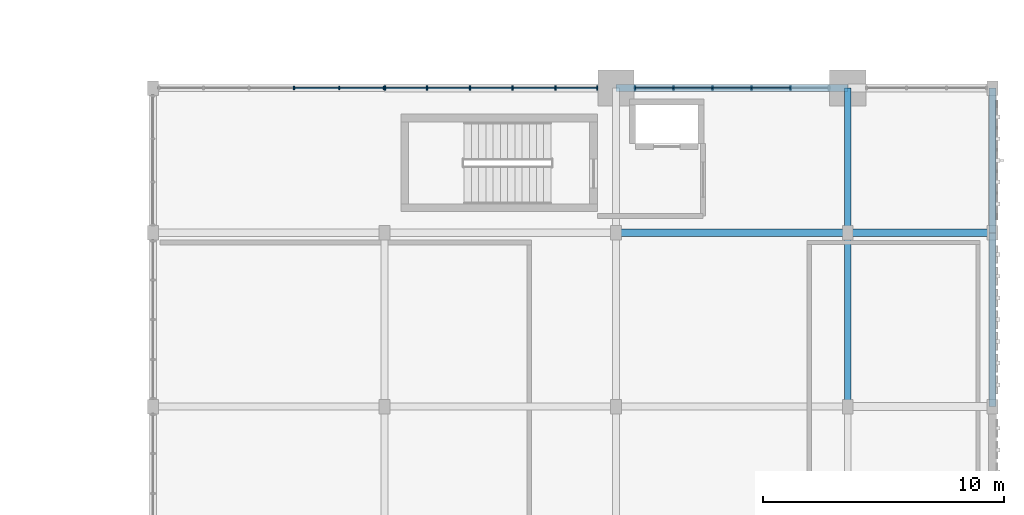
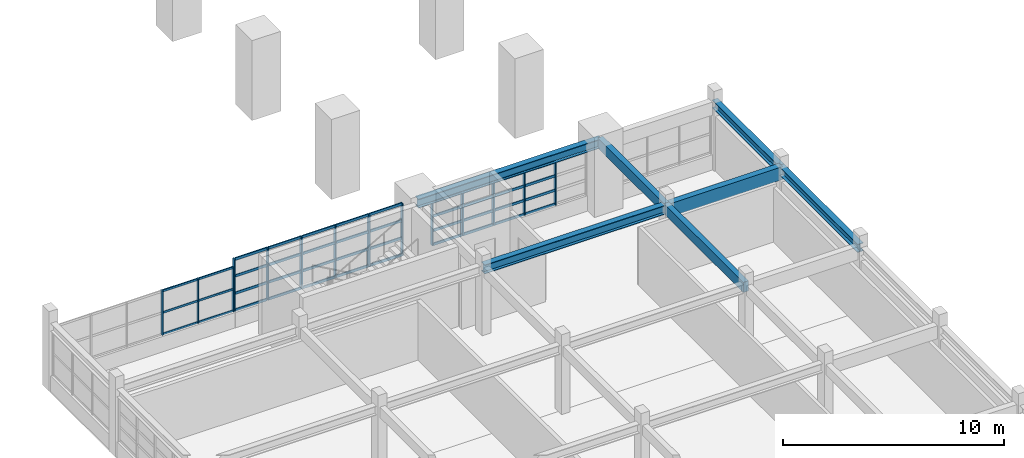
# One storey, part 27 of 69: 56 members, 7 beams, 3 elements without a shape of their own.
"""IFC4 building model written with IfcOpenShell, lengths in metres."""

from ifc_helpers import new_model, si_unit, direction, frame, origin, origin_2d, place, context, subcontext, project, spatial, rectangle, i_section, extrude, material, material_profile, profile_set, type_object, element, aggregate, save


model = new_model("IFC4")

# Units and contexts
model_context = context("Model", 3, precision=1e-05, world=origin(), true_north=direction((0.0, 1.0)))
body_context = subcontext(model_context, "Body", "Model", "MODEL_VIEW")
ifc_project = project(units=[si_unit("LENGTHUNIT", "METRE"), si_unit("AREAUNIT", "SQUARE_METRE"), si_unit("VOLUMEUNIT", "CUBIC_METRE"), si_unit("PLANEANGLEUNIT", "RADIAN"), si_unit("MASSUNIT", "GRAM", prefix="KILO")], contexts=[model_context])

# Site, building, storey
site_placement = place(None, origin())
site = spatial("IfcSite", under=ifc_project, at=site_placement, CompositionType="ELEMENT")
building_placement = place(site_placement, origin())
building = spatial("IfcBuilding", under=site, at=building_placement, Name="Nzembalo Square Collegiate School", CompositionType="ELEMENT")
storey_placement = place(building_placement, frame((0.0, 0.0, 5.10009765625)))
storey = spatial("IfcBuildingStorey", under=building, at=storey_placement, Name="L01", CompositionType="ELEMENT", Elevation=5.10009765625)

# Beams
ifc_material_1 = material(Name="Glulam GL32h", Category="wood")
ifc_material_profile_1 = material_profile(ifc_material_1, rectangle(XDim=0.320068359375, YDim=0.719970703125, at=origin_2d()), Name="GL32h 320x720")
ifc_profile_set_1 = profile_set([ifc_material_profile_1], Name="Glulam GL32h")
beam_type_1 = type_object("IfcBeamType", Name="B03", PredefinedType="BEAM", material=ifc_profile_set_1)
beam_1_placement = place(storey_placement, frame((159.60009765625, 44.39990234375, 3.389892578125), z_axis=(1.0, 0.0, 0.0), x_axis=(0.0, 1.0, 0.0)))
element("IfcBeam", 1, at=beam_1_placement, inside=storey, type_object=beam_type_1, Name="Beam B03 L01", PredefinedType="BEAM", context=body_context, shape_type="SweptSolid", body=[
    extrude(rectangle(XDim=0.320068359375, YDim=0.719970703125, at=origin_2d()), origin(), (0.0, 0.0, 1.0), 6.0),
])
ifc_material_2 = material(Name="Glulam GL28h", Category="wood")
ifc_material_profile_2 = material_profile(ifc_material_2, rectangle(XDim=0.280029296875, YDim=0.56005859375, at=origin_2d()), Name="GL28h 280x560")
ifc_profile_set_2 = profile_set([ifc_material_profile_2], Name="Glulam GL28h")
beam_type_2 = type_object("IfcBeamType", Name="B05", PredefinedType="BEAM", material=ifc_profile_set_2)
beam_2_placement = place(storey_placement, frame((159.60009765625, 37.199951171875, 3.469970703125), z_axis=(0.0, 1.0, 0.0), x_axis=(-1.0, 0.0, 0.0)))
element("IfcBeam", 2, at=beam_2_placement, inside=storey, type_object=beam_type_2, Name="Beam B05 L01", PredefinedType="BEAM", context=body_context, shape_type="SweptSolid", body=[
    extrude(rectangle(XDim=0.280029296875, YDim=0.56005859375, at=origin_2d()), origin(), (0.0, 0.0, 1.0), 7.199951171875),
])
beam_3_placement = place(storey_placement, frame((159.60009765625, 44.39990234375, 3.469970703125), z_axis=(0.0, 1.0, 0.0), x_axis=(-1.0, 0.0, 0.0)))
element("IfcBeam", 3, at=beam_3_placement, inside=storey, type_object=beam_type_2, Name="Beam B05 L01", PredefinedType="BEAM", context=body_context, shape_type="SweptSolid", body=[
    extrude(rectangle(XDim=0.280029296875, YDim=0.56005859375, at=origin_2d()), origin(), (0.0, 0.0, 1.0), 6.0),
])
ifc_material_3 = material(Name="Steel S355", Category="steel")
ifc_material_profile_3 = material_profile(ifc_material_3, i_section(OverallWidth=0.300048828125, OverallDepth=0.5, WebThickness=0.014404296875, FlangeThickness=0.028076171875, at=origin_2d()), Name="HEB 500")
ifc_profile_set_3 = profile_set([ifc_material_profile_3], Name="Steel S355")
beam_type_3 = type_object("IfcBeamType", Name="B07", PredefinedType="BEAM", material=ifc_profile_set_3)
for number, where, z_axis, x_axis, name in (
    (4, (150.0, 44.39990234375, 3.5), (1.0, 0.0, 0.0), (0.0, 1.0, 0.0), "Beam B07 L01"),
    (5, (150.0, 50.39990234375, 3.5), (1.0, 0.0, 0.0), (0.0, 1.0, 0.0), "Beam B07 L01"),
):
    element("IfcBeam", number, at=place(storey_placement, frame(where, z_axis=z_axis, x_axis=x_axis)), inside=storey, type_object=beam_type_3, Name=name, PredefinedType="BEAM", context=body_context, shape_type="SweptSolid", body=[
        extrude(i_section(OverallWidth=0.300048828125, OverallDepth=0.5, WebThickness=0.014404296875, FlangeThickness=0.028076171875, at=origin_2d()), origin(), (0.0, 0.0, 1.0), 9.60009765625),
    ])
ifc_material_4 = material(Name="Steel S355", Category="steel")
ifc_material_profile_4 = material_profile(ifc_material_4, i_section(OverallWidth=0.300048828125, OverallDepth=0.449951171875, WebThickness=0.013916015625, FlangeThickness=0.02587890625, at=origin_2d()), Name="HEB 450")
ifc_profile_set_4 = profile_set([ifc_material_profile_4], Name="Steel S355")
beam_type_4 = type_object("IfcBeamType", Name="B08", PredefinedType="BEAM", material=ifc_profile_set_4)
beam_4_placement = place(storey_placement, frame((165.60009765625, 37.199951171875, 3.52490234375), z_axis=(0.0, 1.0, 0.0), x_axis=(-1.0, 0.0, 0.0)))
element("IfcBeam", 6, at=beam_4_placement, inside=storey, type_object=beam_type_4, Name="Beam B08 L01", PredefinedType="BEAM", context=body_context, shape_type="SweptSolid", body=[
    extrude(i_section(OverallWidth=0.300048828125, OverallDepth=0.449951171875, WebThickness=0.013916015625, FlangeThickness=0.02587890625, at=origin_2d()), origin(), (0.0, 0.0, 1.0), 7.199951171875),
])
beam_5_placement = place(storey_placement, frame((165.60009765625, 44.39990234375, 3.52490234375), z_axis=(0.0, 1.0, 0.0), x_axis=(-1.0, 0.0, 0.0)))
element("IfcBeam", 7, at=beam_5_placement, inside=storey, type_object=beam_type_4, Name="Beam B08 L01", PredefinedType="BEAM", context=body_context, shape_type="SweptSolid", body=[
    extrude(i_section(OverallWidth=0.300048828125, OverallDepth=0.449951171875, WebThickness=0.013916015625, FlangeThickness=0.02587890625, at=origin_2d()), origin(), (0.0, 0.0, 1.0), 6.0),
])

# Curtain wall, members
ifc_material_5 = material(Name="Aluminium 6060-T66", Category="aluminium")
curtain_wall_type_1 = type_object("IfcCurtainWallType", Name="CW-09", PredefinedType="USERDEFINED", material=ifc_material_5)
curtain_wall_1_placement = place(storey_placement, origin())
curtain_wall_1 = element("IfcCurtainWall", 8, at=curtain_wall_1_placement, inside=storey, type_object=curtain_wall_type_1, Name="Curtain wall CW-09 cw:L01:060", ObjectType="UNITISED", PredefinedType="USERDEFINED")
ifc_material_6 = material(Name="Aluminium 6060-T66", Category="aluminium")
ifc_material_profile_5 = material_profile(ifc_material_6, rectangle(XDim=0.06005859375, YDim=0.179931640625, at=origin_2d()), Name="ALU M60x180")
ifc_profile_set_5 = profile_set([ifc_material_profile_5], Name="Aluminium 6060-T66")
member_type_1 = type_object("IfcMemberType", Name="ML01", PredefinedType="MULLION", material=ifc_profile_set_5)
member_1_placement = place(storey_placement, frame((140.429931640625, 50.39990234375, 0.849853515625), z_axis=(0.0, 0.0, 1.0), x_axis=(1.0, 0.0, 0.0)))
member_1 = element("IfcMember", 9, at=member_1_placement, type_object=member_type_1, Name="ML01 mullion 1", PredefinedType="MULLION", context=body_context, shape_type="SweptSolid", body=[
    extrude(rectangle(XDim=0.06005859375, YDim=0.179931640625, at=origin_2d()), origin(), (0.0, 0.0, 1.0), 2.8740234375),
])
member_2_placement = place(storey_placement, frame((142.169677734375, 50.39990234375, 0.849853515625), z_axis=(0.0, 0.0, 1.0), x_axis=(1.0, 0.0, 0.0)))
member_2 = element("IfcMember", 10, at=member_2_placement, type_object=member_type_1, Name="ML01 mullion 2", PredefinedType="MULLION", context=body_context, shape_type="SweptSolid", body=[
    extrude(rectangle(XDim=0.06005859375, YDim=0.179931640625, at=origin_2d()), origin(), (0.0, 0.0, 1.0), 2.8740234375),
])
member_3_placement = place(storey_placement, frame((143.939208984375, 50.39990234375, 0.849853515625), z_axis=(0.0, 0.0, 1.0), x_axis=(1.0, 0.0, 0.0)))
member_3 = element("IfcMember", 11, at=member_3_placement, type_object=member_type_1, Name="ML01 mullion 3", PredefinedType="MULLION", context=body_context, shape_type="SweptSolid", body=[
    extrude(rectangle(XDim=0.06005859375, YDim=0.179931640625, at=origin_2d()), origin(), (0.0, 0.0, 1.0), 2.8740234375),
])
member_4_placement = place(storey_placement, frame((145.708740234375, 50.39990234375, 0.849853515625), z_axis=(0.0, 0.0, 1.0), x_axis=(1.0, 0.0, 0.0)))
member_4 = element("IfcMember", 12, at=member_4_placement, type_object=member_type_1, Name="ML01 mullion 4", PredefinedType="MULLION", context=body_context, shape_type="SweptSolid", body=[
    extrude(rectangle(XDim=0.06005859375, YDim=0.179931640625, at=origin_2d()), origin(), (0.0, 0.0, 1.0), 2.8740234375),
])
member_5_placement = place(storey_placement, frame((147.478515625, 50.39990234375, 0.849853515625), z_axis=(0.0, 0.0, 1.0), x_axis=(1.0, 0.0, 0.0)))
member_5 = element("IfcMember", 13, at=member_5_placement, type_object=member_type_1, Name="ML01 mullion 5", PredefinedType="MULLION", context=body_context, shape_type="SweptSolid", body=[
    extrude(rectangle(XDim=0.06005859375, YDim=0.179931640625, at=origin_2d()), origin(), (0.0, 0.0, 1.0), 2.8740234375),
])
member_6_placement = place(storey_placement, frame((149.218017578125, 50.39990234375, 0.849853515625), z_axis=(0.0, 0.0, 1.0), x_axis=(1.0, 0.0, 0.0)))
member_6 = element("IfcMember", 14, at=member_6_placement, type_object=member_type_1, Name="ML01 mullion 6", PredefinedType="MULLION", context=body_context, shape_type="SweptSolid", body=[
    extrude(rectangle(XDim=0.06005859375, YDim=0.179931640625, at=origin_2d()), origin(), (0.0, 0.0, 1.0), 2.8740234375),
])

ifc_material_7 = material(Name="Aluminium 6060-T66", Category="aluminium")
curtain_wall_type_2 = type_object("IfcCurtainWallType", Name="CW-10", PredefinedType="USERDEFINED", material=ifc_material_7)
curtain_wall_2_placement = place(storey_placement, origin())
curtain_wall_2 = element("IfcCurtainWall", 15, at=curtain_wall_2_placement, inside=storey, type_object=curtain_wall_type_2, Name="Curtain wall CW-10 cw:L01:061", ObjectType="UNITISED", PredefinedType="USERDEFINED")
member_7_placement = place(storey_placement, frame((150.781982421875, 50.39990234375, 0.849853515625), z_axis=(0.0, 0.0, 1.0), x_axis=(1.0, 0.0, 0.0)))
member_7 = element("IfcMember", 16, at=member_7_placement, type_object=member_type_1, Name="ML01 mullion 1", PredefinedType="MULLION", context=body_context, shape_type="SweptSolid", body=[
    extrude(rectangle(XDim=0.06005859375, YDim=0.179931640625, at=origin_2d()), origin(), (0.0, 0.0, 1.0), 2.39404296875),
])
member_8_placement = place(storey_placement, frame((152.37109375, 50.39990234375, 0.849853515625), z_axis=(0.0, 0.0, 1.0), x_axis=(1.0, 0.0, 0.0)))
member_8 = element("IfcMember", 17, at=member_8_placement, type_object=member_type_1, Name="ML01 mullion 2", PredefinedType="MULLION", context=body_context, shape_type="SweptSolid", body=[
    extrude(rectangle(XDim=0.06005859375, YDim=0.179931640625, at=origin_2d()), origin(), (0.0, 0.0, 1.0), 2.39404296875),
])
member_9_placement = place(storey_placement, frame((153.990478515625, 50.39990234375, 0.849853515625), z_axis=(0.0, 0.0, 1.0), x_axis=(1.0, 0.0, 0.0)))
member_9 = element("IfcMember", 18, at=member_9_placement, type_object=member_type_1, Name="ML01 mullion 3", PredefinedType="MULLION", context=body_context, shape_type="SweptSolid", body=[
    extrude(rectangle(XDim=0.06005859375, YDim=0.179931640625, at=origin_2d()), origin(), (0.0, 0.0, 1.0), 2.39404296875),
])
member_10_placement = place(storey_placement, frame((155.609619140625, 50.39990234375, 0.849853515625), z_axis=(0.0, 0.0, 1.0), x_axis=(1.0, 0.0, 0.0)))
member_10 = element("IfcMember", 19, at=member_10_placement, type_object=member_type_1, Name="ML01 mullion 4", PredefinedType="MULLION", context=body_context, shape_type="SweptSolid", body=[
    extrude(rectangle(XDim=0.06005859375, YDim=0.179931640625, at=origin_2d()), origin(), (0.0, 0.0, 1.0), 2.39404296875),
])
member_11_placement = place(storey_placement, frame((157.228759765625, 50.39990234375, 0.849853515625), z_axis=(0.0, 0.0, 1.0), x_axis=(1.0, 0.0, 0.0)))
member_11 = element("IfcMember", 20, at=member_11_placement, type_object=member_type_1, Name="ML01 mullion 5", PredefinedType="MULLION", context=body_context, shape_type="SweptSolid", body=[
    extrude(rectangle(XDim=0.06005859375, YDim=0.179931640625, at=origin_2d()), origin(), (0.0, 0.0, 1.0), 2.39404296875),
])

ifc_material_8 = material(Name="Aluminium 6060-T66", Category="aluminium")
curtain_wall_type_3 = type_object("IfcCurtainWallType", Name="CW-12", PredefinedType="USERDEFINED", material=ifc_material_8)
curtain_wall_3_placement = place(storey_placement, origin())
curtain_wall_3 = element("IfcCurtainWall", 21, at=curtain_wall_3_placement, inside=storey, type_object=curtain_wall_type_3, Name="Curtain wall CW-12 cw:L01:059", ObjectType="LANCET", PredefinedType="USERDEFINED")
ifc_material_9 = material(Name="Aluminium 6060-T66", Category="aluminium")
ifc_material_profile_6 = material_profile(ifc_material_9, rectangle(XDim=0.06005859375, YDim=0.14990234375, at=origin_2d()), Name="ALU M60x150")
ifc_profile_set_6 = profile_set([ifc_material_profile_6], Name="Aluminium 6060-T66")
member_type_2 = type_object("IfcMemberType", Name="ML02", PredefinedType="MULLION", material=ifc_profile_set_6)
member_12_placement = place(storey_placement, frame((136.65087890625, 50.39990234375, 0.849853515625), z_axis=(0.0, 0.0, 1.0), x_axis=(1.0, 0.0, 0.0)))
member_12 = element("IfcMember", 22, at=member_12_placement, type_object=member_type_2, Name="ML02 mullion 4", PredefinedType="MULLION", context=body_context, shape_type="SweptSolid", body=[
    extrude(rectangle(XDim=0.06005859375, YDim=0.14990234375, at=origin_2d()), origin(), (0.0, 0.0, 1.0), 2.444091796875),
])
member_13_placement = place(storey_placement, frame((138.525390625, 50.39990234375, 0.849853515625), z_axis=(0.0, 0.0, 1.0), x_axis=(1.0, 0.0, 0.0)))
member_13 = element("IfcMember", 23, at=member_13_placement, type_object=member_type_2, Name="ML02 mullion 5", PredefinedType="MULLION", context=body_context, shape_type="SweptSolid", body=[
    extrude(rectangle(XDim=0.06005859375, YDim=0.14990234375, at=origin_2d()), origin(), (0.0, 0.0, 1.0), 2.444091796875),
])
member_14_placement = place(storey_placement, frame((140.3701171875, 50.39990234375, 0.849853515625), z_axis=(0.0, 0.0, 1.0), x_axis=(1.0, 0.0, 0.0)))
member_14 = element("IfcMember", 24, at=member_14_placement, type_object=member_type_2, Name="ML02 mullion 6", PredefinedType="MULLION", context=body_context, shape_type="SweptSolid", body=[
    extrude(rectangle(XDim=0.06005859375, YDim=0.14990234375, at=origin_2d()), origin(), (0.0, 0.0, 1.0), 2.444091796875),
])

# Member
ifc_material_10 = material(Name="Aluminium 6060-T66", Category="aluminium")
ifc_material_profile_7 = material_profile(ifc_material_10, rectangle(XDim=0.06005859375, YDim=0.139892578125, at=origin_2d()), Name="ALU T60x140")
ifc_profile_set_7 = profile_set([ifc_material_profile_7], Name="Aluminium 6060-T66")
member_type_3 = type_object("IfcMemberType", Name="TR01", PredefinedType="USERDEFINED", material=ifc_profile_set_7)
member_15_placement = place(storey_placement, frame((140.4599609375, 50.39990234375, 0.8798828125), z_axis=(1.0, 0.0, 0.0), x_axis=(0.0, 1.0, 0.0)))
member_15 = element("IfcMember", 25, at=member_15_placement, type_object=member_type_3, Name="TR01 transom 1-1", ObjectType="TRANSOM", PredefinedType="USERDEFINED", context=body_context, shape_type="SweptSolid", body=[
    extrude(rectangle(XDim=0.06005859375, YDim=0.139892578125, at=origin_2d()), origin(), (0.0, 0.0, 1.0), 1.6796875),
])

member_16_placement = place(storey_placement, frame((142.19970703125, 50.39990234375, 0.8798828125), z_axis=(1.0, 0.0, 0.0), x_axis=(0.0, 1.0, 0.0)))
member_16 = element("IfcMember", 26, at=member_16_placement, type_object=member_type_3, Name="TR01 transom 1-2", ObjectType="TRANSOM", PredefinedType="USERDEFINED", context=body_context, shape_type="SweptSolid", body=[
    extrude(rectangle(XDim=0.06005859375, YDim=0.139892578125, at=origin_2d()), origin(), (0.0, 0.0, 1.0), 1.70947265625),
])

member_17_placement = place(storey_placement, frame((143.96923828125, 50.39990234375, 0.8798828125), z_axis=(1.0, 0.0, 0.0), x_axis=(0.0, 1.0, 0.0)))
member_17 = element("IfcMember", 27, at=member_17_placement, type_object=member_type_3, Name="TR01 transom 1-3", ObjectType="TRANSOM", PredefinedType="USERDEFINED", context=body_context, shape_type="SweptSolid", body=[
    extrude(rectangle(XDim=0.06005859375, YDim=0.139892578125, at=origin_2d()), origin(), (0.0, 0.0, 1.0), 1.70947265625),
])

member_18_placement = place(storey_placement, frame((145.73876953125, 50.39990234375, 0.8798828125), z_axis=(1.0, 0.0, 0.0), x_axis=(0.0, 1.0, 0.0)))
member_18 = element("IfcMember", 28, at=member_18_placement, type_object=member_type_3, Name="TR01 transom 1-4", ObjectType="TRANSOM", PredefinedType="USERDEFINED", context=body_context, shape_type="SweptSolid", body=[
    extrude(rectangle(XDim=0.06005859375, YDim=0.139892578125, at=origin_2d()), origin(), (0.0, 0.0, 1.0), 1.709716796875),
])

member_19_placement = place(storey_placement, frame((147.50830078125, 50.39990234375, 0.8798828125), z_axis=(1.0, 0.0, 0.0), x_axis=(0.0, 1.0, 0.0)))
member_19 = element("IfcMember", 29, at=member_19_placement, type_object=member_type_3, Name="TR01 transom 1-5", ObjectType="TRANSOM", PredefinedType="USERDEFINED", context=body_context, shape_type="SweptSolid", body=[
    extrude(rectangle(XDim=0.06005859375, YDim=0.139892578125, at=origin_2d()), origin(), (0.0, 0.0, 1.0), 1.6796875),
])

member_20_placement = place(storey_placement, frame((140.4599609375, 50.39990234375, 1.807861328125), z_axis=(1.0, 0.0, 0.0), x_axis=(0.0, 1.0, 0.0)))
member_20 = element("IfcMember", 30, at=member_20_placement, type_object=member_type_3, Name="TR01 transom 2-1", ObjectType="TRANSOM", PredefinedType="USERDEFINED", context=body_context, shape_type="SweptSolid", body=[
    extrude(rectangle(XDim=0.06005859375, YDim=0.139892578125, at=origin_2d()), origin(), (0.0, 0.0, 1.0), 1.6796875),
])

member_21_placement = place(storey_placement, frame((142.19970703125, 50.39990234375, 1.807861328125), z_axis=(1.0, 0.0, 0.0), x_axis=(0.0, 1.0, 0.0)))
member_21 = element("IfcMember", 31, at=member_21_placement, type_object=member_type_3, Name="TR01 transom 2-2", ObjectType="TRANSOM", PredefinedType="USERDEFINED", context=body_context, shape_type="SweptSolid", body=[
    extrude(rectangle(XDim=0.06005859375, YDim=0.139892578125, at=origin_2d()), origin(), (0.0, 0.0, 1.0), 1.70947265625),
])

member_22_placement = place(storey_placement, frame((143.96923828125, 50.39990234375, 1.807861328125), z_axis=(1.0, 0.0, 0.0), x_axis=(0.0, 1.0, 0.0)))
member_22 = element("IfcMember", 32, at=member_22_placement, type_object=member_type_3, Name="TR01 transom 2-3", ObjectType="TRANSOM", PredefinedType="USERDEFINED", context=body_context, shape_type="SweptSolid", body=[
    extrude(rectangle(XDim=0.06005859375, YDim=0.139892578125, at=origin_2d()), origin(), (0.0, 0.0, 1.0), 1.70947265625),
])

member_23_placement = place(storey_placement, frame((145.73876953125, 50.39990234375, 1.807861328125), z_axis=(1.0, 0.0, 0.0), x_axis=(0.0, 1.0, 0.0)))
member_23 = element("IfcMember", 33, at=member_23_placement, type_object=member_type_3, Name="TR01 transom 2-4", ObjectType="TRANSOM", PredefinedType="USERDEFINED", context=body_context, shape_type="SweptSolid", body=[
    extrude(rectangle(XDim=0.06005859375, YDim=0.139892578125, at=origin_2d()), origin(), (0.0, 0.0, 1.0), 1.709716796875),
])

member_24_placement = place(storey_placement, frame((147.50830078125, 50.39990234375, 1.807861328125), z_axis=(1.0, 0.0, 0.0), x_axis=(0.0, 1.0, 0.0)))
member_24 = element("IfcMember", 34, at=member_24_placement, type_object=member_type_3, Name="TR01 transom 2-5", ObjectType="TRANSOM", PredefinedType="USERDEFINED", context=body_context, shape_type="SweptSolid", body=[
    extrude(rectangle(XDim=0.06005859375, YDim=0.139892578125, at=origin_2d()), origin(), (0.0, 0.0, 1.0), 1.6796875),
])

member_25_placement = place(storey_placement, frame((140.4599609375, 50.39990234375, 2.765869140625), z_axis=(1.0, 0.0, 0.0), x_axis=(0.0, 1.0, 0.0)))
member_25 = element("IfcMember", 35, at=member_25_placement, type_object=member_type_3, Name="TR01 transom 3-1", ObjectType="TRANSOM", PredefinedType="USERDEFINED", context=body_context, shape_type="SweptSolid", body=[
    extrude(rectangle(XDim=0.06005859375, YDim=0.139892578125, at=origin_2d()), origin(), (0.0, 0.0, 1.0), 1.6796875),
])

member_26_placement = place(storey_placement, frame((142.19970703125, 50.39990234375, 2.765869140625), z_axis=(1.0, 0.0, 0.0), x_axis=(0.0, 1.0, 0.0)))
member_26 = element("IfcMember", 36, at=member_26_placement, type_object=member_type_3, Name="TR01 transom 3-2", ObjectType="TRANSOM", PredefinedType="USERDEFINED", context=body_context, shape_type="SweptSolid", body=[
    extrude(rectangle(XDim=0.06005859375, YDim=0.139892578125, at=origin_2d()), origin(), (0.0, 0.0, 1.0), 1.70947265625),
])

member_27_placement = place(storey_placement, frame((143.96923828125, 50.39990234375, 2.765869140625), z_axis=(1.0, 0.0, 0.0), x_axis=(0.0, 1.0, 0.0)))
member_27 = element("IfcMember", 37, at=member_27_placement, type_object=member_type_3, Name="TR01 transom 3-3", ObjectType="TRANSOM", PredefinedType="USERDEFINED", context=body_context, shape_type="SweptSolid", body=[
    extrude(rectangle(XDim=0.06005859375, YDim=0.139892578125, at=origin_2d()), origin(), (0.0, 0.0, 1.0), 1.70947265625),
])

member_28_placement = place(storey_placement, frame((145.73876953125, 50.39990234375, 2.765869140625), z_axis=(1.0, 0.0, 0.0), x_axis=(0.0, 1.0, 0.0)))
member_28 = element("IfcMember", 38, at=member_28_placement, type_object=member_type_3, Name="TR01 transom 3-4", ObjectType="TRANSOM", PredefinedType="USERDEFINED", context=body_context, shape_type="SweptSolid", body=[
    extrude(rectangle(XDim=0.06005859375, YDim=0.139892578125, at=origin_2d()), origin(), (0.0, 0.0, 1.0), 1.709716796875),
])

member_29_placement = place(storey_placement, frame((147.50830078125, 50.39990234375, 2.765869140625), z_axis=(1.0, 0.0, 0.0), x_axis=(0.0, 1.0, 0.0)))
member_29 = element("IfcMember", 39, at=member_29_placement, type_object=member_type_3, Name="TR01 transom 3-5", ObjectType="TRANSOM", PredefinedType="USERDEFINED", context=body_context, shape_type="SweptSolid", body=[
    extrude(rectangle(XDim=0.06005859375, YDim=0.139892578125, at=origin_2d()), origin(), (0.0, 0.0, 1.0), 1.6796875),
])

member_30_placement = place(storey_placement, frame((140.4599609375, 50.39990234375, 3.69384765625), z_axis=(1.0, 0.0, 0.0), x_axis=(0.0, 1.0, 0.0)))
member_30 = element("IfcMember", 40, at=member_30_placement, type_object=member_type_3, Name="TR01 transom 4-1", ObjectType="TRANSOM", PredefinedType="USERDEFINED", context=body_context, shape_type="SweptSolid", body=[
    extrude(rectangle(XDim=0.06005859375, YDim=0.139892578125, at=origin_2d()), origin(), (0.0, 0.0, 1.0), 1.6796875),
])

member_31_placement = place(storey_placement, frame((142.19970703125, 50.39990234375, 3.69384765625), z_axis=(1.0, 0.0, 0.0), x_axis=(0.0, 1.0, 0.0)))
member_31 = element("IfcMember", 41, at=member_31_placement, type_object=member_type_3, Name="TR01 transom 4-2", ObjectType="TRANSOM", PredefinedType="USERDEFINED", context=body_context, shape_type="SweptSolid", body=[
    extrude(rectangle(XDim=0.06005859375, YDim=0.139892578125, at=origin_2d()), origin(), (0.0, 0.0, 1.0), 1.70947265625),
])

member_32_placement = place(storey_placement, frame((143.96923828125, 50.39990234375, 3.69384765625), z_axis=(1.0, 0.0, 0.0), x_axis=(0.0, 1.0, 0.0)))
member_32 = element("IfcMember", 42, at=member_32_placement, type_object=member_type_3, Name="TR01 transom 4-3", ObjectType="TRANSOM", PredefinedType="USERDEFINED", context=body_context, shape_type="SweptSolid", body=[
    extrude(rectangle(XDim=0.06005859375, YDim=0.139892578125, at=origin_2d()), origin(), (0.0, 0.0, 1.0), 1.70947265625),
])

member_33_placement = place(storey_placement, frame((145.73876953125, 50.39990234375, 3.69384765625), z_axis=(1.0, 0.0, 0.0), x_axis=(0.0, 1.0, 0.0)))
member_33 = element("IfcMember", 43, at=member_33_placement, type_object=member_type_3, Name="TR01 transom 4-4", ObjectType="TRANSOM", PredefinedType="USERDEFINED", context=body_context, shape_type="SweptSolid", body=[
    extrude(rectangle(XDim=0.06005859375, YDim=0.139892578125, at=origin_2d()), origin(), (0.0, 0.0, 1.0), 1.709716796875),
])

member_34_placement = place(storey_placement, frame((147.50830078125, 50.39990234375, 3.69384765625), z_axis=(1.0, 0.0, 0.0), x_axis=(0.0, 1.0, 0.0)))
member_34 = element("IfcMember", 44, at=member_34_placement, type_object=member_type_3, Name="TR01 transom 4-5", ObjectType="TRANSOM", PredefinedType="USERDEFINED", context=body_context, shape_type="SweptSolid", body=[
    extrude(rectangle(XDim=0.06005859375, YDim=0.139892578125, at=origin_2d()), origin(), (0.0, 0.0, 1.0), 1.6796875),
])

aggregate(curtain_wall_1, [member_1, member_2, member_3, member_4, member_5, member_6, member_15, member_16, member_17, member_18, member_19, member_20, member_21, member_22, member_23, member_24, member_25, member_26, member_27, member_28, member_29, member_30, member_31, member_32, member_33, member_34])

member_35_placement = place(storey_placement, frame((150.81201171875, 50.39990234375, 0.8798828125), z_axis=(1.0, 0.0, 0.0), x_axis=(0.0, 1.0, 0.0)))
member_35 = element("IfcMember", 45, at=member_35_placement, type_object=member_type_3, Name="TR01 transom 1-1", ObjectType="TRANSOM", PredefinedType="USERDEFINED", context=body_context, shape_type="SweptSolid", body=[
    extrude(rectangle(XDim=0.06005859375, YDim=0.139892578125, at=origin_2d()), origin(), (0.0, 0.0, 1.0), 1.529296875),
])

member_36_placement = place(storey_placement, frame((152.401123046875, 50.39990234375, 0.8798828125), z_axis=(1.0, 0.0, 0.0), x_axis=(0.0, 1.0, 0.0)))
member_36 = element("IfcMember", 46, at=member_36_placement, type_object=member_type_3, Name="TR01 transom 1-2", ObjectType="TRANSOM", PredefinedType="USERDEFINED", context=body_context, shape_type="SweptSolid", body=[
    extrude(rectangle(XDim=0.06005859375, YDim=0.139892578125, at=origin_2d()), origin(), (0.0, 0.0, 1.0), 1.559326171875),
])

member_37_placement = place(storey_placement, frame((154.0205078125, 50.39990234375, 0.8798828125), z_axis=(1.0, 0.0, 0.0), x_axis=(0.0, 1.0, 0.0)))
member_37 = element("IfcMember", 47, at=member_37_placement, type_object=member_type_3, Name="TR01 transom 1-3", ObjectType="TRANSOM", PredefinedType="USERDEFINED", context=body_context, shape_type="SweptSolid", body=[
    extrude(rectangle(XDim=0.06005859375, YDim=0.139892578125, at=origin_2d()), origin(), (0.0, 0.0, 1.0), 1.55908203125),
])

member_38_placement = place(storey_placement, frame((155.6396484375, 50.39990234375, 0.8798828125), z_axis=(1.0, 0.0, 0.0), x_axis=(0.0, 1.0, 0.0)))
member_38 = element("IfcMember", 48, at=member_38_placement, type_object=member_type_3, Name="TR01 transom 1-4", ObjectType="TRANSOM", PredefinedType="USERDEFINED", context=body_context, shape_type="SweptSolid", body=[
    extrude(rectangle(XDim=0.06005859375, YDim=0.139892578125, at=origin_2d()), origin(), (0.0, 0.0, 1.0), 1.55908203125),
])

member_39_placement = place(storey_placement, frame((150.81201171875, 50.39990234375, 1.64794921875), z_axis=(1.0, 0.0, 0.0), x_axis=(0.0, 1.0, 0.0)))
member_39 = element("IfcMember", 49, at=member_39_placement, type_object=member_type_3, Name="TR01 transom 2-1", ObjectType="TRANSOM", PredefinedType="USERDEFINED", context=body_context, shape_type="SweptSolid", body=[
    extrude(rectangle(XDim=0.06005859375, YDim=0.139892578125, at=origin_2d()), origin(), (0.0, 0.0, 1.0), 1.529296875),
])

member_40_placement = place(storey_placement, frame((152.401123046875, 50.39990234375, 1.64794921875), z_axis=(1.0, 0.0, 0.0), x_axis=(0.0, 1.0, 0.0)))
member_40 = element("IfcMember", 50, at=member_40_placement, type_object=member_type_3, Name="TR01 transom 2-2", ObjectType="TRANSOM", PredefinedType="USERDEFINED", context=body_context, shape_type="SweptSolid", body=[
    extrude(rectangle(XDim=0.06005859375, YDim=0.139892578125, at=origin_2d()), origin(), (0.0, 0.0, 1.0), 1.559326171875),
])

member_41_placement = place(storey_placement, frame((154.0205078125, 50.39990234375, 1.64794921875), z_axis=(1.0, 0.0, 0.0), x_axis=(0.0, 1.0, 0.0)))
member_41 = element("IfcMember", 51, at=member_41_placement, type_object=member_type_3, Name="TR01 transom 2-3", ObjectType="TRANSOM", PredefinedType="USERDEFINED", context=body_context, shape_type="SweptSolid", body=[
    extrude(rectangle(XDim=0.06005859375, YDim=0.139892578125, at=origin_2d()), origin(), (0.0, 0.0, 1.0), 1.55908203125),
])

member_42_placement = place(storey_placement, frame((155.6396484375, 50.39990234375, 1.64794921875), z_axis=(1.0, 0.0, 0.0), x_axis=(0.0, 1.0, 0.0)))
member_42 = element("IfcMember", 52, at=member_42_placement, type_object=member_type_3, Name="TR01 transom 2-4", ObjectType="TRANSOM", PredefinedType="USERDEFINED", context=body_context, shape_type="SweptSolid", body=[
    extrude(rectangle(XDim=0.06005859375, YDim=0.139892578125, at=origin_2d()), origin(), (0.0, 0.0, 1.0), 1.55908203125),
])

member_43_placement = place(storey_placement, frame((150.81201171875, 50.39990234375, 2.44580078125), z_axis=(1.0, 0.0, 0.0), x_axis=(0.0, 1.0, 0.0)))
member_43 = element("IfcMember", 53, at=member_43_placement, type_object=member_type_3, Name="TR01 transom 3-1", ObjectType="TRANSOM", PredefinedType="USERDEFINED", context=body_context, shape_type="SweptSolid", body=[
    extrude(rectangle(XDim=0.06005859375, YDim=0.139892578125, at=origin_2d()), origin(), (0.0, 0.0, 1.0), 1.529296875),
])

member_44_placement = place(storey_placement, frame((152.401123046875, 50.39990234375, 2.44580078125), z_axis=(1.0, 0.0, 0.0), x_axis=(0.0, 1.0, 0.0)))
member_44 = element("IfcMember", 54, at=member_44_placement, type_object=member_type_3, Name="TR01 transom 3-2", ObjectType="TRANSOM", PredefinedType="USERDEFINED", context=body_context, shape_type="SweptSolid", body=[
    extrude(rectangle(XDim=0.06005859375, YDim=0.139892578125, at=origin_2d()), origin(), (0.0, 0.0, 1.0), 1.559326171875),
])

member_45_placement = place(storey_placement, frame((154.0205078125, 50.39990234375, 2.44580078125), z_axis=(1.0, 0.0, 0.0), x_axis=(0.0, 1.0, 0.0)))
member_45 = element("IfcMember", 55, at=member_45_placement, type_object=member_type_3, Name="TR01 transom 3-3", ObjectType="TRANSOM", PredefinedType="USERDEFINED", context=body_context, shape_type="SweptSolid", body=[
    extrude(rectangle(XDim=0.06005859375, YDim=0.139892578125, at=origin_2d()), origin(), (0.0, 0.0, 1.0), 1.55908203125),
])

member_46_placement = place(storey_placement, frame((155.6396484375, 50.39990234375, 2.44580078125), z_axis=(1.0, 0.0, 0.0), x_axis=(0.0, 1.0, 0.0)))
member_46 = element("IfcMember", 56, at=member_46_placement, type_object=member_type_3, Name="TR01 transom 3-4", ObjectType="TRANSOM", PredefinedType="USERDEFINED", context=body_context, shape_type="SweptSolid", body=[
    extrude(rectangle(XDim=0.06005859375, YDim=0.139892578125, at=origin_2d()), origin(), (0.0, 0.0, 1.0), 1.55908203125),
])

member_47_placement = place(storey_placement, frame((150.81201171875, 50.39990234375, 3.2138671875), z_axis=(1.0, 0.0, 0.0), x_axis=(0.0, 1.0, 0.0)))
member_47 = element("IfcMember", 57, at=member_47_placement, type_object=member_type_3, Name="TR01 transom 4-1", ObjectType="TRANSOM", PredefinedType="USERDEFINED", context=body_context, shape_type="SweptSolid", body=[
    extrude(rectangle(XDim=0.06005859375, YDim=0.139892578125, at=origin_2d()), origin(), (0.0, 0.0, 1.0), 1.529296875),
])

member_48_placement = place(storey_placement, frame((152.401123046875, 50.39990234375, 3.2138671875), z_axis=(1.0, 0.0, 0.0), x_axis=(0.0, 1.0, 0.0)))
member_48 = element("IfcMember", 58, at=member_48_placement, type_object=member_type_3, Name="TR01 transom 4-2", ObjectType="TRANSOM", PredefinedType="USERDEFINED", context=body_context, shape_type="SweptSolid", body=[
    extrude(rectangle(XDim=0.06005859375, YDim=0.139892578125, at=origin_2d()), origin(), (0.0, 0.0, 1.0), 1.559326171875),
])

member_49_placement = place(storey_placement, frame((154.0205078125, 50.39990234375, 3.2138671875), z_axis=(1.0, 0.0, 0.0), x_axis=(0.0, 1.0, 0.0)))
member_49 = element("IfcMember", 59, at=member_49_placement, type_object=member_type_3, Name="TR01 transom 4-3", ObjectType="TRANSOM", PredefinedType="USERDEFINED", context=body_context, shape_type="SweptSolid", body=[
    extrude(rectangle(XDim=0.06005859375, YDim=0.139892578125, at=origin_2d()), origin(), (0.0, 0.0, 1.0), 1.55908203125),
])

member_50_placement = place(storey_placement, frame((155.6396484375, 50.39990234375, 3.2138671875), z_axis=(1.0, 0.0, 0.0), x_axis=(0.0, 1.0, 0.0)))
member_50 = element("IfcMember", 60, at=member_50_placement, type_object=member_type_3, Name="TR01 transom 4-4", ObjectType="TRANSOM", PredefinedType="USERDEFINED", context=body_context, shape_type="SweptSolid", body=[
    extrude(rectangle(XDim=0.06005859375, YDim=0.139892578125, at=origin_2d()), origin(), (0.0, 0.0, 1.0), 1.55908203125),
])

aggregate(curtain_wall_2, [member_7, member_8, member_9, member_10, member_11, member_35, member_36, member_37, member_38, member_39, member_40, member_41, member_42, member_43, member_44, member_45, member_46, member_47, member_48, member_49, member_50])

ifc_material_11 = material(Name="Aluminium 6060-T66", Category="aluminium")
ifc_material_profile_8 = material_profile(ifc_material_11, rectangle(XDim=0.06005859375, YDim=0.110107421875, at=origin_2d()), Name="ALU T60x110")
ifc_profile_set_8 = profile_set([ifc_material_profile_8], Name="Aluminium 6060-T66")
member_type_4 = type_object("IfcMemberType", Name="TR02", PredefinedType="USERDEFINED", material=ifc_profile_set_8)
member_51_placement = place(storey_placement, frame((136.680908203125, 50.39990234375, 0.8798828125), z_axis=(1.0, 0.0, 0.0), x_axis=(0.0, 1.0, 0.0)))
member_51 = element("IfcMember", 61, at=member_51_placement, type_object=member_type_4, Name="TR02 transom 1-4", ObjectType="TRANSOM", PredefinedType="USERDEFINED", context=body_context, shape_type="SweptSolid", body=[
    extrude(rectangle(XDim=0.06005859375, YDim=0.110107421875, at=origin_2d()), origin(), (0.0, 0.0, 1.0), 1.814453125),
])

member_52_placement = place(storey_placement, frame((138.555419921875, 50.39990234375, 0.8798828125), z_axis=(1.0, 0.0, 0.0), x_axis=(0.0, 1.0, 0.0)))
member_52 = element("IfcMember", 62, at=member_52_placement, type_object=member_type_4, Name="TR02 transom 1-5", ObjectType="TRANSOM", PredefinedType="USERDEFINED", context=body_context, shape_type="SweptSolid", body=[
    extrude(rectangle(XDim=0.06005859375, YDim=0.110107421875, at=origin_2d()), origin(), (0.0, 0.0, 1.0), 1.78466796875),
])

member_53_placement = place(storey_placement, frame((136.680908203125, 50.39990234375, 2.072021484375), z_axis=(1.0, 0.0, 0.0), x_axis=(0.0, 1.0, 0.0)))
member_53 = element("IfcMember", 63, at=member_53_placement, type_object=member_type_4, Name="TR02 transom 2-4", ObjectType="TRANSOM", PredefinedType="USERDEFINED", context=body_context, shape_type="SweptSolid", body=[
    extrude(rectangle(XDim=0.06005859375, YDim=0.110107421875, at=origin_2d()), origin(), (0.0, 0.0, 1.0), 1.814453125),
])

member_54_placement = place(storey_placement, frame((138.555419921875, 50.39990234375, 2.072021484375), z_axis=(1.0, 0.0, 0.0), x_axis=(0.0, 1.0, 0.0)))
member_54 = element("IfcMember", 64, at=member_54_placement, type_object=member_type_4, Name="TR02 transom 2-5", ObjectType="TRANSOM", PredefinedType="USERDEFINED", context=body_context, shape_type="SweptSolid", body=[
    extrude(rectangle(XDim=0.06005859375, YDim=0.110107421875, at=origin_2d()), origin(), (0.0, 0.0, 1.0), 1.78466796875),
])

member_55_placement = place(storey_placement, frame((136.680908203125, 50.39990234375, 3.263916015625), z_axis=(1.0, 0.0, 0.0), x_axis=(0.0, 1.0, 0.0)))
member_55 = element("IfcMember", 65, at=member_55_placement, type_object=member_type_4, Name="TR02 transom 3-4", ObjectType="TRANSOM", PredefinedType="USERDEFINED", context=body_context, shape_type="SweptSolid", body=[
    extrude(rectangle(XDim=0.06005859375, YDim=0.110107421875, at=origin_2d()), origin(), (0.0, 0.0, 1.0), 1.814453125),
])

member_56_placement = place(storey_placement, frame((138.555419921875, 50.39990234375, 3.263916015625), z_axis=(1.0, 0.0, 0.0), x_axis=(0.0, 1.0, 0.0)))
member_56 = element("IfcMember", 66, at=member_56_placement, type_object=member_type_4, Name="TR02 transom 3-5", ObjectType="TRANSOM", PredefinedType="USERDEFINED", context=body_context, shape_type="SweptSolid", body=[
    extrude(rectangle(XDim=0.06005859375, YDim=0.110107421875, at=origin_2d()), origin(), (0.0, 0.0, 1.0), 1.78466796875),
])

aggregate(curtain_wall_3, [member_12, member_13, member_14, member_51, member_52, member_53, member_54, member_55, member_56])

save(model, "model.ifc")
